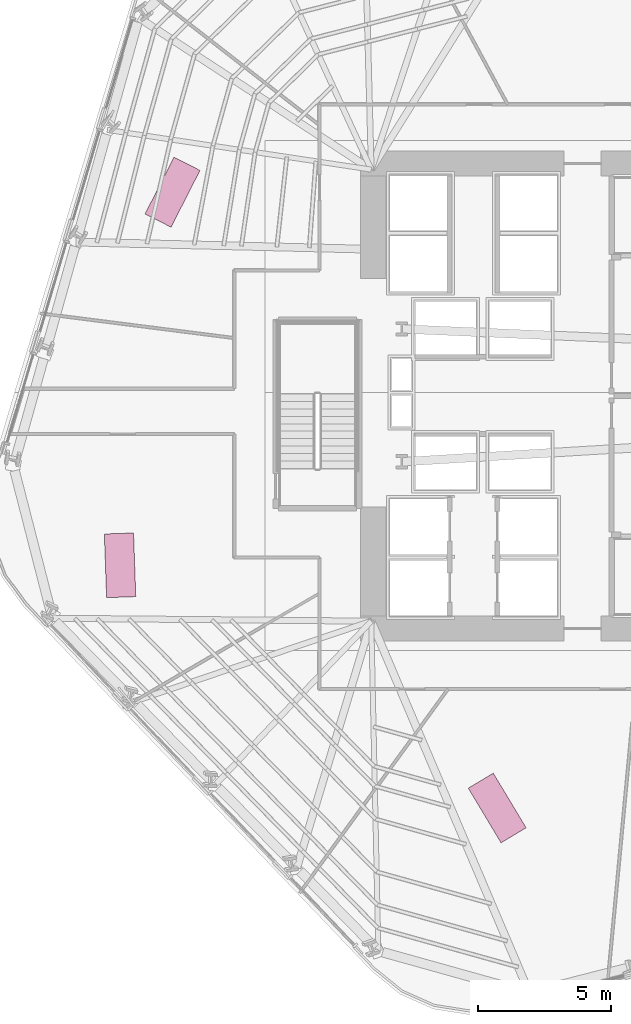
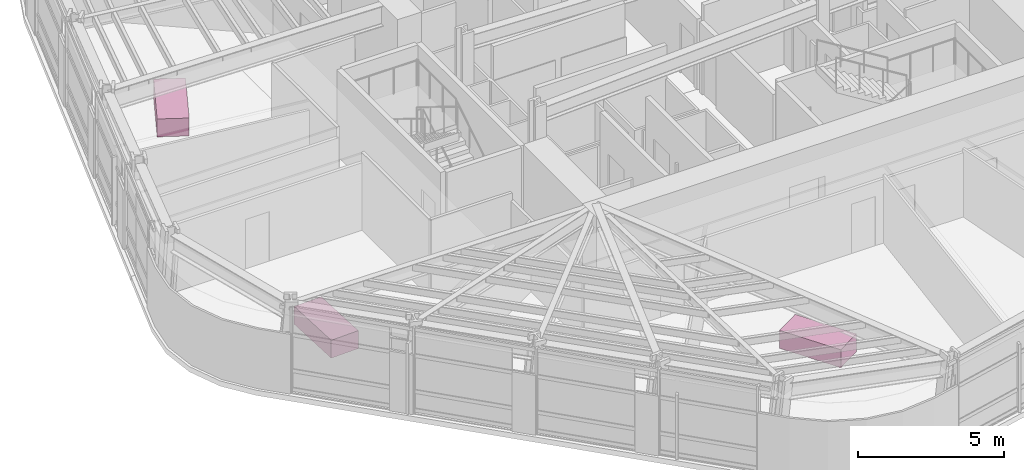
# One storey, part 17 of 17: 3 furniture elements.
"""IFC4 building model written with IfcOpenShell, lengths in metres."""

from ifc_helpers import new_model, si_unit, direction, frame, origin, origin_2d, place, context, subcontext, project, spatial, rectangle, extrude, material, type_object, element, save


model = new_model("IFC4")

# Units and contexts
model_context = context("Model", 3, precision=1e-05, world=origin(), true_north=direction((0.0, 1.0)))
body_context = subcontext(model_context, "Body", "Model", "MODEL_VIEW")
ifc_project = project(units=[si_unit("LENGTHUNIT", "METRE"), si_unit("AREAUNIT", "SQUARE_METRE"), si_unit("VOLUMEUNIT", "CUBIC_METRE"), si_unit("PLANEANGLEUNIT", "RADIAN"), si_unit("MASSUNIT", "GRAM", prefix="KILO")], contexts=[model_context])

# Site, building, storey
site_placement = place(None, origin())
site = spatial("IfcSite", under=ifc_project, at=site_placement, CompositionType="ELEMENT")
building_placement = place(site_placement, origin())
building = spatial("IfcBuilding", under=site, at=building_placement, Name="Valkerne Bourse Tower", CompositionType="ELEMENT")
storey_placement = place(building_placement, frame((0.0, 0.0, 82.0)))
storey = spatial("IfcBuildingStorey", under=building, at=storey_placement, Name="L20", CompositionType="ELEMENT", Elevation=82.0)

# Furniture
ifc_material = material(Name="Architectural White Oak Timber", Category="wood")
furniture_type = type_object("IfcFurnitureType", Name="FURN-DESK-2400", AssemblyPlace="NOTDEFINED", PredefinedType="DESK", material=ifc_material)
for number, where, z_axis, x_axis, name in (
    (1, (30.118896484375, 34.549072265625, 0.044921875), (0.0, 0.0, 1.0), (0.45399049974, 0.891006524188, 0.0), "L20 Suite Worktable 07"),
    (2, (28.14404296875, 20.501953125, 0.044921875), (0.0, 0.0, 1.0), (-0.034899496703, 0.999390827019, 0.0), "L20 Suite Worktable 08"),
    (3, (42.341064453125, 11.364990234375, 0.044921875), (0.0, 0.0, 1.0), (-0.51503807491, 0.857167300702, 0.0), "L20 Suite Worktable 09"),
):
    element("IfcFurniture", number, at=place(storey_placement, frame(where, z_axis=z_axis, x_axis=x_axis)), inside=storey, type_object=furniture_type, Name=name, PredefinedType="DESK", context=body_context, shape_type="SweptSolid", body=[
        extrude(rectangle(XDim=2.39990234375, YDim=1.10009765625, at=origin_2d()), origin(), (0.0, 0.0, 1.0), 0.75),
    ])

save(model, "model.ifc")
